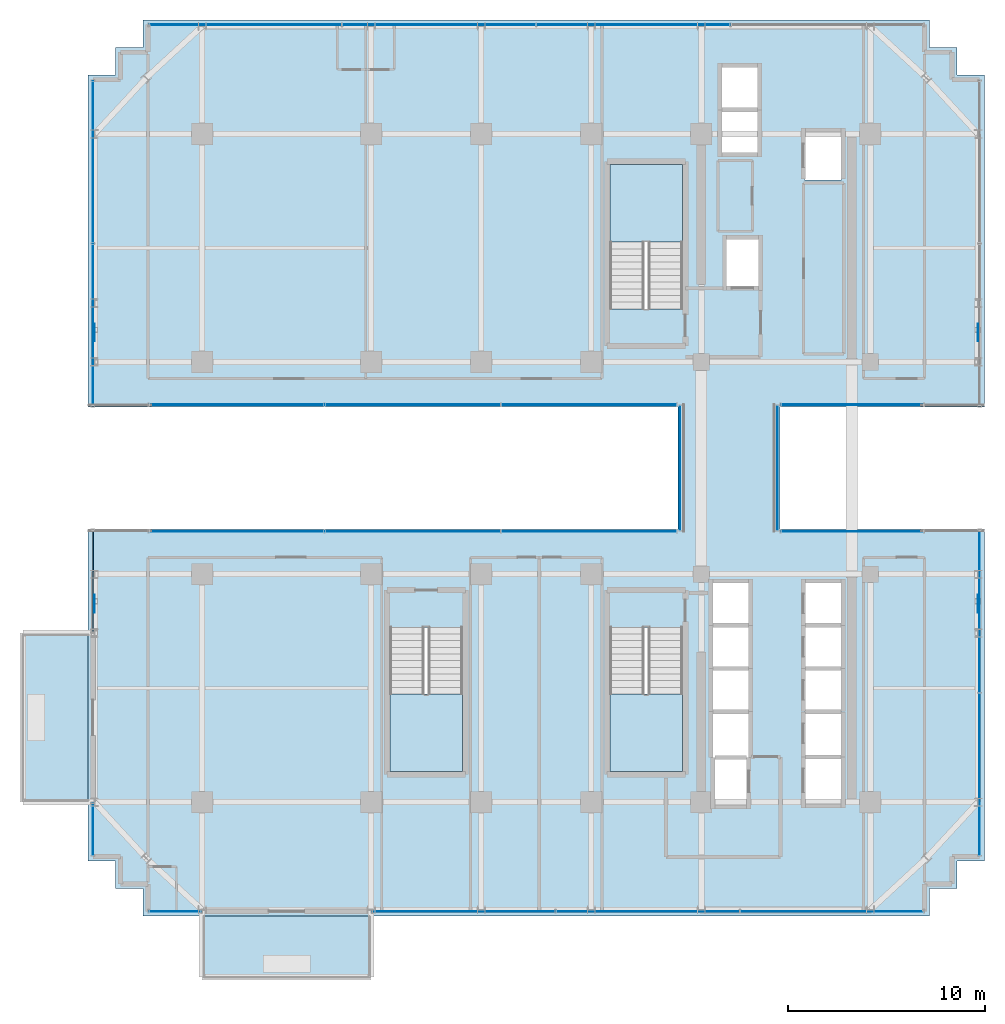
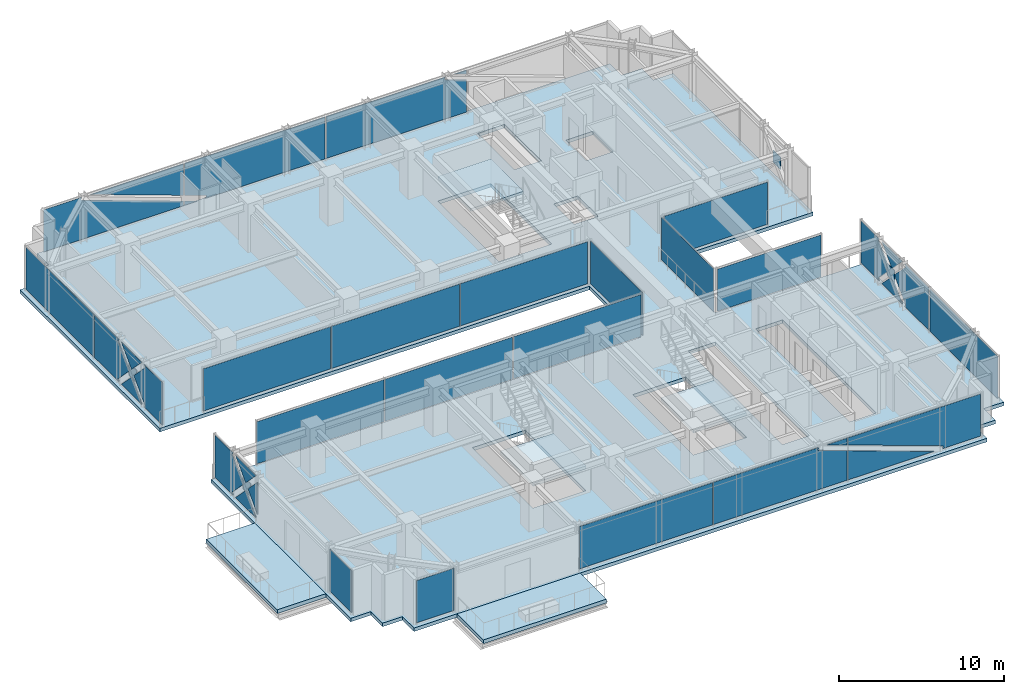
# One storey, part 28 of 36: 27 plates, 6 slabs, 16 elements without a shape of their own.
"""IFC4 building model written with IfcOpenShell, lengths in metres."""

from ifc_helpers import new_model, si_unit, direction, frame, origin, origin_2d, place, context, subcontext, project, spatial, polyline, rectangle, outline, extrude, source, transform, mapped, material, layer, layer_set, type_object, element, aggregate, save


model = new_model("IFC4")

# Units and contexts
model_context = context("Model", 3, precision=1e-05, world=origin(), true_north=direction((0.0, 1.0)))
body_context = subcontext(model_context, "Body", "Model", "MODEL_VIEW")
ifc_project = project(units=[si_unit("LENGTHUNIT", "METRE"), si_unit("AREAUNIT", "SQUARE_METRE"), si_unit("VOLUMEUNIT", "CUBIC_METRE"), si_unit("PLANEANGLEUNIT", "RADIAN"), si_unit("MASSUNIT", "GRAM", prefix="KILO")], contexts=[model_context])

# Site, building, storey
site_placement = place(None, origin())
site = spatial("IfcSite", under=ifc_project, at=site_placement, CompositionType="ELEMENT")
building_placement = place(site_placement, origin())
building = spatial("IfcBuilding", under=site, at=building_placement, Name="Nahalor Promenade Grand Hotel", CompositionType="ELEMENT")
storey_placement = place(building_placement, frame((0.0, 0.0, 170.89990234375)))
storey = spatial("IfcBuildingStorey", under=building, at=storey_placement, Name="L43", CompositionType="ELEMENT", Elevation=170.89990234375)

# Curtain wall, plates
ifc_material_1 = material(Name="Anodised Bronze Aluminium EN AW-6063 T6", Category="aluminium")
curtain_wall_type_1 = type_object("IfcCurtainWallType", Name="CW3 Elliptical-Void Collar Unitised Curtain Wall", PredefinedType="USERDEFINED", material=ifc_material_1)
curtain_wall_1_placement = place(storey_placement, origin())
curtain_wall_1 = element("IfcCurtainWall", 1, at=curtain_wall_1_placement, inside=storey, type_object=curtain_wall_type_1, Name="L43 Curtain Wall CW-L43-S-3", ObjectType="UNITISED_CURTAIN_WALL", PredefinedType="USERDEFINED")
ifc_material_2 = material(Name="Low-E Laminated Solar Glass", Category="glass")
ifc_layer_1 = layer(ifc_material_2, 0.030029296875)
ifc_layer_set_1 = layer_set([ifc_layer_1], Name="Low-E Laminated Solar Glass")
plate_type_1 = type_object("IfcPlateType", Name="CWP3 High-Wind Laminated Bronze IGU 30mm", PredefinedType="CURTAIN_PANEL", material=ifc_layer_set_1)
plate_1_placement = place(storey_placement, frame((5.679931640625, -22.56005859375, 0.14013671875), z_axis=(0.0, 0.0, 1.0), x_axis=(1.0, 0.0, 0.0)))
plate_1 = element("IfcPlate", 2, at=plate_1_placement, type_object=plate_type_1, Name="CW-L43-S-3 Glazing Panel 1-0", PredefinedType="CURTAIN_PANEL", context=body_context, shape_type="SweptSolid", body=[
    extrude(outline(polyline([(-4.658447265625, 0.0), (4.658447265625, 0.0), (4.658447265625, 2.19091796875), (2.62890625, 2.920166015625), (2.697021484375, 3.110107421875), (-4.658447265625, 3.110107421875), (-4.658447265625, 0.0)])), frame((0.0, 0.01513671875, 0.0), z_axis=(0.0, -1.0, 0.0), x_axis=(1.0, 0.0, 0.0)), (0.0, 0.0, 1.0), 0.030029296875),
    extrude(outline(polyline([(4.658447265625, 2.615966796875), (4.658447265625, 3.110107421875), (3.28369140625, 3.110107421875), (4.658447265625, 2.615966796875)])), frame((0.0, 0.01513671875, 0.0), z_axis=(0.0, -1.0, 0.0), x_axis=(1.0, 0.0, 0.0)), (0.0, 0.0, 1.0), 0.030029296875),
])
plate_2_placement = place(storey_placement, frame((15.049072265625, -22.56005859375, 0.14013671875), z_axis=(0.0, 0.0, 1.0), x_axis=(1.0, 0.0, 0.0)))
plate_2 = element("IfcPlate", 3, at=plate_2_placement, type_object=plate_type_1, Name="CW-L43-S-3 Glazing Panel 2-0", PredefinedType="CURTAIN_PANEL", context=body_context, shape_type="SweptSolid", body=[
    extrude(outline(polyline([(4.640869140625, 3.110107421875), (-4.640869140625, 3.110107421875), (-4.640869140625, 2.5908203125), (2.0419921875, 0.189697265625), (1.973876953125, 0.0), (4.640869140625, 0.0), (4.640869140625, 3.110107421875)])), frame((0.0, 0.01513671875, 0.0), z_axis=(0.0, -1.0, 0.0), x_axis=(1.0, 0.0, 0.0)), (0.0, 0.0, 1.0), 0.030029296875),
    extrude(outline(polyline([(-4.640869140625, 2.165771484375), (-4.640869140625, 0.0), (1.38720703125, 0.0), (-4.640869140625, 2.165771484375)])), frame((0.0, 0.01513671875, 0.0), z_axis=(0.0, -1.0, 0.0), x_axis=(1.0, 0.0, 0.0)), (0.0, 0.0, 1.0), 0.030029296875),
])

curtain_wall_2_placement = place(storey_placement, origin())
curtain_wall_2 = element("IfcCurtainWall", 4, at=curtain_wall_2_placement, inside=storey, type_object=curtain_wall_type_1, Name="L43 Curtain Wall CW-L43-N-1", ObjectType="UNITISED_CURTAIN_WALL", PredefinedType="USERDEFINED")
plate_3_placement = place(storey_placement, frame((-14.802490234375, 22.56005859375, 0.14013671875), z_axis=(0.0, 0.0, 1.0), x_axis=(1.0, 0.0, 0.0)))
plate_3 = element("IfcPlate", 5, at=plate_3_placement, type_object=plate_type_1, Name="CW-L43-N-1 Glazing Panel 0-0", PredefinedType="CURTAIN_PANEL", context=body_context, shape_type="SweptSolid", body=[
    extrude(outline(polyline([(-4.887451171875, 0.0), (4.887451171875, 0.0), (4.887451171875, 0.341796875), (-2.28857421875, 2.920166015625), (-2.220458984375, 3.110107421875), (-4.887451171875, 3.110107421875), (-4.887451171875, 0.0)])), frame((0.0, 0.01513671875, 0.0), z_axis=(0.0, -1.0, 0.0), x_axis=(1.0, 0.0, 0.0)), (0.0, 0.0, 1.0), 0.030029296875),
    extrude(outline(polyline([(4.887451171875, 0.766845703125), (4.887451171875, 3.110107421875), (-1.6337890625, 3.110107421875), (4.887451171875, 0.766845703125)])), frame((0.0, 0.01513671875, 0.0), z_axis=(0.0, -1.0, 0.0), x_axis=(1.0, 0.0, 0.0)), (0.0, 0.0, 1.0), 0.030029296875),
])
plate_4_placement = place(storey_placement, frame((-4.93994140625, 22.56005859375, 0.14013671875), z_axis=(0.0, 0.0, 1.0), x_axis=(1.0, 0.0, 0.0)))
plate_4 = element("IfcPlate", 6, at=plate_4_placement, type_object=plate_type_1, Name="CW-L43-N-1 Glazing Panel 1-0", PredefinedType="CURTAIN_PANEL", context=body_context, shape_type="SweptSolid", body=[
    extrude(outline(polyline([(4.905029296875, 3.110107421875), (-4.905029296875, 3.110107421875), (-4.905029296875, 0.74169921875), (-3.368896484375, 0.189697265625), (-3.43701171875, 0.0), (4.905029296875, 0.0), (4.905029296875, 3.110107421875)])), frame((0.0, 0.01513671875, 0.0), z_axis=(0.0, -1.0, 0.0), x_axis=(1.0, 0.0, 0.0)), (0.0, 0.0, 1.0), 0.030029296875),
    extrude(outline(polyline([(-4.905029296875, 0.316650390625), (-4.905029296875, 0.0), (-4.023681640625, 0.0), (-4.905029296875, 0.316650390625)])), frame((0.0, 0.01513671875, 0.0), z_axis=(0.0, -1.0, 0.0), x_axis=(1.0, 0.0, 0.0)), (0.0, 0.0, 1.0), 0.030029296875),
])
plate_5_placement = place(storey_placement, frame((4.93994140625, 22.56005859375, 0.14013671875), z_axis=(0.0, 0.0, 1.0), x_axis=(1.0, 0.0, 0.0)))
plate_5 = element("IfcPlate", 7, at=plate_5_placement, type_object=plate_type_1, Name="CW-L43-N-1 Glazing Panel 2-0", PredefinedType="CURTAIN_PANEL", context=body_context, shape_type="SweptSolid", body=[
    extrude(outline(polyline([(-4.905029296875, 0.0), (4.905029296875, 0.0), (4.905029296875, 2.368408203125), (3.368896484375, 2.920166015625), (3.43701171875, 3.110107421875), (-4.905029296875, 3.110107421875), (-4.905029296875, 0.0)])), frame((0.0, 0.01513671875, 0.0), z_axis=(0.0, -1.0, 0.0), x_axis=(1.0, 0.0, 0.0)), (0.0, 0.0, 1.0), 0.030029296875),
    extrude(outline(polyline([(4.905029296875, 2.793212890625), (4.905029296875, 3.110107421875), (4.023681640625, 3.110107421875), (4.905029296875, 2.793212890625)])), frame((0.0, 0.01513671875, 0.0), z_axis=(0.0, -1.0, 0.0), x_axis=(1.0, 0.0, 0.0)), (0.0, 0.0, 1.0), 0.030029296875),
])
aggregate(curtain_wall_2, [plate_3, plate_4, plate_5])

# Curtain wall, plate
curtain_wall_3_placement = place(storey_placement, origin())
curtain_wall_3 = element("IfcCurtainWall", 8, at=curtain_wall_3_placement, inside=storey, type_object=curtain_wall_type_1, Name="L43 Curtain Wall CW-L43-W-3", ObjectType="UNITISED_CURTAIN_WALL", PredefinedType="USERDEFINED")
plate_6_placement = place(storey_placement, frame((-22.56005859375, -5.75, 0.14013671875), z_axis=(0.0, 0.0, 1.0), x_axis=(0.0, 1.0, 0.0)))
plate_6 = element("IfcPlate", 9, at=plate_6_placement, type_object=plate_type_1, Name="CW-L43-W-3 Glazing Panel 0-0", PredefinedType="CURTAIN_PANEL", context=body_context, shape_type="SweptSolid", body=[
    extrude(outline(polyline([(-1.4287109375, 1.554931640625), (-2.580078125, 2.74072265625), (-2.580078125, 0.369140625), (-1.4287109375, 1.554931640625)])), frame((0.0, 0.01513671875, 0.0), z_axis=(0.0, -1.0, 0.0), x_axis=(1.0, 0.0, 0.0)), (0.0, 0.0, 1.0), 0.030029296875),
    extrude(outline(polyline([(-1.14990234375, 1.267822265625), (-2.380859375, 0.0), (0.0810546875, 0.0), (-1.14990234375, 1.267822265625)])), frame((0.0, 0.01513671875, 0.0), z_axis=(0.0, -1.0, 0.0), x_axis=(1.0, 0.0, 0.0)), (0.0, 0.0, 1.0), 0.030029296875),
    extrude(outline(polyline([(-1.14990234375, 1.842041015625), (0.0810546875, 3.110107421875), (-2.380859375, 3.110107421875), (-1.14990234375, 1.842041015625)])), frame((0.0, 0.01513671875, 0.0), z_axis=(0.0, -1.0, 0.0), x_axis=(1.0, 0.0, 0.0)), (0.0, 0.0, 1.0), 0.030029296875),
    extrude(outline(polyline([(2.580078125, 0.0), (2.580078125, 3.110107421875), (0.37548828125, 3.110107421875), (0.510986328125, 2.978515625), (-0.871337890625, 1.554931640625), (0.510986328125, 0.13134765625), (0.37548828125, 0.0), (2.580078125, 0.0)])), frame((0.0, 0.01513671875, 0.0), z_axis=(0.0, -1.0, 0.0), x_axis=(1.0, 0.0, 0.0)), (0.0, 0.0, 1.0), 0.030029296875),
])
aggregate(curtain_wall_3, [plate_6])

curtain_wall_4_placement = place(storey_placement, origin())
curtain_wall_4 = element("IfcCurtainWall", 10, at=curtain_wall_4_placement, inside=storey, type_object=curtain_wall_type_1, Name="L43 Curtain Wall CW-L43-W-4", ObjectType="UNITISED_CURTAIN_WALL", PredefinedType="USERDEFINED")
plate_7_placement = place(storey_placement, frame((-22.56005859375, 7.282470703125, 0.14013671875), z_axis=(0.0, 0.0, 1.0), x_axis=(0.0, 1.0, 0.0)))
plate_7 = element("IfcPlate", 11, at=plate_7_placement, type_object=plate_type_1, Name="CW-L43-W-4 Glazing Panel 0-0", PredefinedType="CURTAIN_PANEL", context=body_context, shape_type="SweptSolid", body=[
    extrude(outline(polyline([(-4.112548828125, 3.110107421875), (-4.112548828125, 0.0), (-1.908203125, 0.0), (-2.04345703125, 0.13134765625), (-0.661376953125, 1.554931640625), (-2.04345703125, 2.978515625), (-1.908203125, 3.110107421875), (-4.112548828125, 3.110107421875)])), frame((0.0, 0.01513671875, 0.0), z_axis=(0.0, -1.0, 0.0), x_axis=(1.0, 0.0, 0.0)), (0.0, 0.0, 1.0), 0.030029296875),
    extrude(outline(polyline([(-0.382568359375, 1.267822265625), (-1.613525390625, 0.0), (0.848388671875, 0.0), (-0.382568359375, 1.267822265625)])), frame((0.0, 0.01513671875, 0.0), z_axis=(0.0, -1.0, 0.0), x_axis=(1.0, 0.0, 0.0)), (0.0, 0.0, 1.0), 0.030029296875),
    extrude(outline(polyline([(-0.382568359375, 1.842041015625), (0.848388671875, 3.110107421875), (-1.613525390625, 3.110107421875), (-0.382568359375, 1.842041015625)])), frame((0.0, 0.01513671875, 0.0), z_axis=(0.0, -1.0, 0.0), x_axis=(1.0, 0.0, 0.0)), (0.0, 0.0, 1.0), 0.030029296875),
    extrude(outline(polyline([(4.112548828125, 0.0), (4.112548828125, 3.110107421875), (1.14306640625, 3.110107421875), (1.2783203125, 2.978515625), (-0.103759765625, 1.554931640625), (1.2783203125, 0.13134765625), (1.14306640625, 0.0), (4.112548828125, 0.0)])), frame((0.0, 0.01513671875, 0.0), z_axis=(0.0, -1.0, 0.0), x_axis=(1.0, 0.0, 0.0)), (0.0, 0.0, 1.0), 0.030029296875),
])

curtain_wall_5_placement = place(storey_placement, origin())
curtain_wall_5 = element("IfcCurtainWall", 12, at=curtain_wall_5_placement, inside=storey, type_object=curtain_wall_type_1, Name="L43 Curtain Wall CW-L43-E-1", ObjectType="UNITISED_CURTAIN_WALL", PredefinedType="USERDEFINED")
plate_8_placement = place(storey_placement, frame((22.56005859375, -7.282470703125, 0.14013671875), z_axis=(0.0, 0.0, 1.0), x_axis=(0.0, 1.0, 0.0)))
plate_8 = element("IfcPlate", 13, at=plate_8_placement, type_object=plate_type_1, Name="CW-L43-E-1 Glazing Panel 1-0", PredefinedType="CURTAIN_PANEL", context=body_context, shape_type="SweptSolid", body=[
    extrude(outline(polyline([(-4.112548828125, 3.110107421875), (-4.112548828125, 0.0), (-1.14306640625, 0.0), (-1.2783203125, 0.13134765625), (0.103759765625, 1.554931640625), (-1.2783203125, 2.978515625), (-1.14306640625, 3.110107421875), (-4.112548828125, 3.110107421875)])), frame((0.0, 0.01513671875, 0.0), z_axis=(0.0, -1.0, 0.0), x_axis=(1.0, 0.0, 0.0)), (0.0, 0.0, 1.0), 0.030029296875),
    extrude(outline(polyline([(0.382568359375, 1.267822265625), (-0.848388671875, 0.0), (1.613525390625, 0.0), (0.382568359375, 1.267822265625)])), frame((0.0, 0.01513671875, 0.0), z_axis=(0.0, -1.0, 0.0), x_axis=(1.0, 0.0, 0.0)), (0.0, 0.0, 1.0), 0.030029296875),
    extrude(outline(polyline([(0.382568359375, 1.842041015625), (1.613525390625, 3.110107421875), (-0.848388671875, 3.110107421875), (0.382568359375, 1.842041015625)])), frame((0.0, 0.01513671875, 0.0), z_axis=(0.0, -1.0, 0.0), x_axis=(1.0, 0.0, 0.0)), (0.0, 0.0, 1.0), 0.030029296875),
    extrude(outline(polyline([(4.112548828125, 0.0), (4.112548828125, 3.110107421875), (1.908203125, 3.110107421875), (2.04345703125, 2.978515625), (0.661376953125, 1.554931640625), (2.04345703125, 0.13134765625), (1.908203125, 0.0), (4.112548828125, 0.0)])), frame((0.0, 0.01513671875, 0.0), z_axis=(0.0, -1.0, 0.0), x_axis=(1.0, 0.0, 0.0)), (0.0, 0.0, 1.0), 0.030029296875),
])

# Stair, slab
ifc_material_3 = material(Name="Concrete B-50 (C40/50)", Category="concrete")
stair_type_1 = type_object("IfcStairType", Name="Stair-ST1", PredefinedType="HALF_TURN_STAIR", material=ifc_material_3)
stair_1_placement = place(storey_placement, origin())
stair_1 = element("IfcStair", 14, at=stair_1_placement, inside=storey, type_object=stair_type_1, Name="L43 ST1", PredefinedType="HALF_TURN_STAIR")
ifc_layer_2 = layer(ifc_material_3, 0.199951171875)
ifc_layer_set_2 = layer_set([ifc_layer_2], Name="Concrete B-50 (C40/50)")
slab_type_1 = type_object("IfcSlabType", Name="Landing-ST1", PredefinedType="LANDING", material=ifc_layer_set_2)
slab_1_placement = place(storey_placement, frame((0.0, 0.0, 1.625)))
slab_1 = element("IfcSlab", 15, at=slab_1_placement, type_object=slab_type_1, Name="ST1 landing 1", PredefinedType="LANDING", context=body_context, shape_type="SweptSolid", body=[
    extrude(outline(polyline([(7.449951171875, 11.5), (7.449951171875, 15.449951171875), (3.75, 15.449951171875), (3.75, 11.5), (7.449951171875, 11.5)])), origin(), (0.0, 0.0, 1.0), 0.2001953125),
])
aggregate(stair_1, [slab_1])

stair_type_2 = type_object("IfcStairType", Name="Stair-ST2", PredefinedType="HALF_TURN_STAIR", material=ifc_material_3)
stair_2_placement = place(storey_placement, origin())
stair_2 = element("IfcStair", 16, at=stair_2_placement, inside=storey, type_object=stair_type_2, Name="L43 ST2", PredefinedType="HALF_TURN_STAIR")
ifc_layer_3 = layer(ifc_material_3, 0.2099609375)
ifc_layer_set_3 = layer_set([ifc_layer_3], Name="Concrete B-50 (C40/50)")
slab_type_2 = type_object("IfcSlabType", Name="Landing-ST2", PredefinedType="LANDING", material=ifc_layer_set_3)
slab_2_placement = place(storey_placement, frame((0.0, 0.0, 1.614990234375)))
slab_2 = element("IfcSlab", 17, at=slab_2_placement, type_object=slab_type_2, Name="ST2 landing 1", PredefinedType="LANDING", context=body_context, shape_type="SweptSolid", body=[
    extrude(outline(polyline([(3.75, -11.5), (3.75, -15.449951171875), (7.449951171875, -15.449951171875), (7.449951171875, -11.5), (3.75, -11.5)])), origin(), (0.0, 0.0, 1.0), 0.210205078125),
])
aggregate(stair_2, [slab_2])

stair_type_3 = type_object("IfcStairType", Name="Stair-ST3", PredefinedType="HALF_TURN_STAIR", material=ifc_material_3)
stair_3_placement = place(storey_placement, origin())
stair_3 = element("IfcStair", 18, at=stair_3_placement, inside=storey, type_object=stair_type_3, Name="L43 ST3", PredefinedType="HALF_TURN_STAIR")
ifc_layer_4 = layer(ifc_material_3, 0.219970703125)
ifc_layer_set_4 = layer_set([ifc_layer_4], Name="Concrete B-50 (C40/50)")
slab_type_3 = type_object("IfcSlabType", Name="Landing-ST3", PredefinedType="LANDING", material=ifc_layer_set_4)
slab_3_placement = place(storey_placement, frame((0.0, 0.0, 1.60498046875)))
slab_3 = element("IfcSlab", 19, at=slab_3_placement, type_object=slab_type_3, Name="ST3 landing 1", PredefinedType="LANDING", context=body_context, shape_type="SweptSolid", body=[
    extrude(outline(polyline([(-7.449951171875, -11.5), (-7.449951171875, -15.449951171875), (-3.75, -15.449951171875), (-3.75, -11.5), (-7.449951171875, -11.5)])), origin(), (0.0, 0.0, 1.0), 0.22021484375),
])
aggregate(stair_3, [slab_3])

# Slabs
ifc_layer_5 = layer(ifc_material_3, 0.280029296875)
ifc_layer_set_5 = layer_set([ifc_layer_5], Name="Concrete B-50 (C40/50)")
slab_type_4 = type_object("IfcSlabType", Name="Slab-Balcony-280", PredefinedType="FLOOR", material=ifc_layer_set_5)
slab_4_placement = place(storey_placement, frame((0.0, 0.0, -0.27978515625)))
element("IfcSlab", 20, at=slab_4_placement, inside=storey, type_object=slab_type_4, Name="L43 Cantilevered Planted Balcony 1", PredefinedType="FLOOR", context=body_context, shape_type="SweptSolid", body=[
    extrude(outline(polyline([(-17.0, -25.97998046875), (-8.39990234375, -25.97998046875), (-8.39990234375, -22.800048828125), (-17.0, -22.800048828125), (-17.0, -25.97998046875)])), origin(), (0.0, 0.0, 1.0), 0.27978515625),
])
slab_5_placement = place(storey_placement, frame((0.0, 0.0, -0.27978515625)))
element("IfcSlab", 21, at=slab_5_placement, inside=storey, type_object=slab_type_4, Name="L43 Cantilevered Planted Balcony 2", PredefinedType="FLOOR", context=body_context, shape_type="SweptSolid", body=[
    extrude(outline(polyline([(-26.199951171875, -17.0), (-22.800048828125, -17.0), (-22.800048828125, -8.39990234375), (-26.199951171875, -8.39990234375), (-26.199951171875, -17.0)])), origin(), (0.0, 0.0, 1.0), 0.27978515625),
])
ifc_layer_6 = layer(ifc_material_3, 0.260009765625)
ifc_layer_set_6 = layer_set([ifc_layer_6], Name="Concrete B-50 (C40/50)")
slab_type_5 = type_object("IfcSlabType", Name="Slab-TowerZ3-260", PredefinedType="FLOOR", material=ifc_layer_set_6)
slab_6_placement = place(storey_placement, frame((0.0, 0.0, -0.260009765625)))
element("IfcSlab", 22, at=slab_6_placement, inside=storey, type_object=slab_type_5, Name="L43 Suspended Structural Floor Slab", PredefinedType="FLOOR", context=body_context, shape_type="SweptSolid", body=[
    extrude(outline(polyline([(-20.0, -22.800048828125), (20.0, -22.800048828125), (20.0, -21.39990234375), (21.39990234375, -21.39990234375), (21.39990234375, -20.0), (22.800048828125, -20.0), (22.800048828125, -3.10009765625), (12.39990234375, -3.10009765625), (12.39990234375, 3.10009765625), (22.800048828125, 3.10009765625), (22.800048828125, 20.0), (21.39990234375, 20.0), (21.39990234375, 21.39990234375), (20.0, 21.39990234375), (20.0, 22.800048828125), (-20.0, 22.800048828125), (-20.0, 21.39990234375), (-21.39990234375, 21.39990234375), (-21.39990234375, 20.0), (-22.800048828125, 20.0), (-22.800048828125, 3.10009765625), (7.199951171875, 3.10009765625), (7.199951171875, -3.10009765625), (-22.800048828125, -3.10009765625), (-22.800048828125, -20.0), (-21.39990234375, -20.0), (-21.39990234375, -21.39990234375), (-20.0, -21.39990234375), (-20.0, -22.800048828125)]), holes=[polyline([(3.75, 8.10009765625), (7.449951171875, 8.10009765625), (7.449951171875, 15.449951171875), (3.75, 15.449951171875), (3.75, 8.10009765625)]), polyline([(3.75, -15.449951171875), (7.449951171875, -15.449951171875), (7.449951171875, -8.10009765625), (3.75, -8.10009765625), (3.75, -15.449951171875)]), polyline([(-7.449951171875, -15.449951171875), (-3.75, -15.449951171875), (-3.75, -8.10009765625), (-7.449951171875, -8.10009765625), (-7.449951171875, -15.449951171875)]), polyline([(13.659912109375, -17.139892578125), (15.5400390625, -17.139892578125), (15.5400390625, -5.81005859375), (13.659912109375, -5.81005859375), (13.659912109375, -17.139892578125)]), polyline([(8.9599609375, -17.18994140625), (10.840087890625, -17.18994140625), (10.840087890625, -5.81005859375), (8.9599609375, -5.81005859375), (8.9599609375, -17.18994140625)]), polyline([(9.409912109375, 16.010009765625), (11.2900390625, 16.010009765625), (11.2900390625, 20.43994140625), (9.409912109375, 20.43994140625), (9.409912109375, 16.010009765625)]), polyline([(9.659912109375, 9.2099609375), (11.340087890625, 9.2099609375), (11.340087890625, 11.68994140625), (9.659912109375, 11.68994140625), (9.659912109375, 9.2099609375)]), polyline([(13.659912109375, 14.659912109375), (15.5400390625, 14.659912109375), (15.5400390625, 17.139892578125), (13.659912109375, 17.139892578125), (13.659912109375, 14.659912109375)])]), origin(), (0.0, 0.0, 1.0), 0.260009765625),
])

# Plates
ifc_material_4 = material(Name="Steel S355J2", Category="steel")
ifc_layer_7 = layer(ifc_material_4, 0.035888671875)
ifc_layer_set_7 = layer_set([ifc_layer_7], Name="Steel S355J2")
plate_type_2 = type_object("IfcPlateType", Name="Plate-CrossGusset-36", PredefinedType="USERDEFINED", material=ifc_layer_set_7)
shared_shape_1 = source(origin(), body_context, "Body", "SweptSolid", [
    extrude(rectangle(XDim=0.89990234375, YDim=0.035888671875, at=origin_2d()), origin(), (0.0, 0.0, 1.0), 0.89990234375),
])
for number, where, z_axis, x_axis, name in (
    (23, (-22.47998046875, -6.89990234375, 1.2451171875), (0.0, 0.0, 1.0), (0.0, 1.0, 0.0), "PL-L43-VXX-W0"),
    (24, (-22.47998046875, 6.89990234375, 1.2451171875), (0.0, 0.0, 1.0), (0.0, 1.0, 0.0), "PL-L43-VXX-W1"),
    (25, (22.47998046875, -6.89990234375, 1.2451171875), (0.0, 0.0, 1.0), (0.0, 1.0, 0.0), "PL-L43-VXX-E0"),
    (26, (22.47998046875, 6.89990234375, 1.2451171875), (0.0, 0.0, 1.0), (0.0, 1.0, 0.0), "PL-L43-VXX-E1"),
):
    element("IfcPlate", number, at=place(storey_placement, frame(where, z_axis=z_axis, x_axis=x_axis)), inside=storey, type_object=plate_type_2, Name=name, ObjectType="GUSSET_PLATE", PredefinedType="USERDEFINED", context=body_context, shape_type="MappedRepresentation", body=[
        mapped(shared_shape_1, transform((0.0, 0.0, 0.0), scale=1.0)),
    ])

# Curtain wall, plate
curtain_wall_6_placement = place(storey_placement, origin())
curtain_wall_6 = element("IfcCurtainWall", 27, at=curtain_wall_6_placement, inside=storey, type_object=curtain_wall_type_1, Name="L43 Curtain Wall CW-L43-S-1", ObjectType="UNITISED_CURTAIN_WALL", PredefinedType="USERDEFINED")
shared_shape_2 = source(origin(), body_context, "Body", "SweptSolid", [
    extrude(rectangle(XDim=2.6201171875, YDim=0.030029296875, at=origin_2d()), origin(), (0.0, 0.0, 1.0), 3.110107421875),
])
plate_9_placement = place(storey_placement, frame((-18.3798828125, -22.56005859375, 0.14013671875), z_axis=(0.0, 0.0, 1.0), x_axis=(1.0, 0.0, 0.0)))
plate_9 = element("IfcPlate", 28, at=plate_9_placement, type_object=plate_type_1, Name="CW-L43-S-1 Glazing Panel 0-0", PredefinedType="CURTAIN_PANEL", context=body_context, shape_type="MappedRepresentation", body=[
    mapped(shared_shape_2, transform((0.0, 0.0, 0.0), scale=1.0)),
])
aggregate(curtain_wall_6, [plate_9])

curtain_wall_7_placement = place(storey_placement, origin())
curtain_wall_7 = element("IfcCurtainWall", 29, at=curtain_wall_7_placement, inside=storey, type_object=curtain_wall_type_1, Name="L43 Curtain Wall CW-L43-W-1", ObjectType="UNITISED_CURTAIN_WALL", PredefinedType="USERDEFINED")
plate_10_placement = place(storey_placement, frame((-22.56005859375, -18.3798828125, 0.14013671875), z_axis=(0.0, 0.0, 1.0), x_axis=(0.0, 1.0, 0.0)))
plate_10 = element("IfcPlate", 30, at=plate_10_placement, type_object=plate_type_1, Name="CW-L43-W-1 Glazing Panel 0-0", PredefinedType="CURTAIN_PANEL", context=body_context, shape_type="MappedRepresentation", body=[
    mapped(shared_shape_2, transform((0.0, 0.0, 0.0), scale=1.0)),
])
aggregate(curtain_wall_7, [plate_10])

# Curtain wall, plates
curtain_wall_8_placement = place(storey_placement, origin())
curtain_wall_8 = element("IfcCurtainWall", 31, at=curtain_wall_8_placement, inside=storey, type_object=curtain_wall_type_1, Name="L43 Curtain Wall CW-L43-VOID-WS1", ObjectType="UNITISED_CURTAIN_WALL", PredefinedType="USERDEFINED")
shared_shape_3 = source(origin(), body_context, "Body", "SweptSolid", [
    extrude(rectangle(XDim=8.881591796875, YDim=0.030029296875, at=origin_2d()), origin(), (0.0, 0.0, 1.0), 3.110107421875),
])
plate_11_placement = place(storey_placement, frame((-15.249267578125, -3.219970703125, 0.14013671875), z_axis=(0.0, 0.0, 1.0), x_axis=(1.0, 0.0, 0.0)))
plate_11 = element("IfcPlate", 32, at=plate_11_placement, type_object=plate_type_1, Name="CW-L43-VOID-WS1 Glazing Panel 0-0", PredefinedType="CURTAIN_PANEL", context=body_context, shape_type="MappedRepresentation", body=[
    mapped(shared_shape_3, transform((0.0, 0.0, 0.0), scale=1.0)),
])
plate_12_placement = place(storey_placement, frame((2.689208984375, -3.219970703125, 0.14013671875), z_axis=(0.0, 0.0, 1.0), x_axis=(1.0, 0.0, 0.0)))
plate_12 = element("IfcPlate", 33, at=plate_12_placement, type_object=plate_type_1, Name="CW-L43-VOID-WS1 Glazing Panel 2-0", PredefinedType="CURTAIN_PANEL", context=body_context, shape_type="MappedRepresentation", body=[
    mapped(shared_shape_3, transform((0.0, 0.0, 0.0), scale=1.0)),
])

curtain_wall_9_placement = place(storey_placement, origin())
curtain_wall_9 = element("IfcCurtainWall", 34, at=curtain_wall_9_placement, inside=storey, type_object=curtain_wall_type_1, Name="L43 Curtain Wall CW-L43-VOID-WN1", ObjectType="UNITISED_CURTAIN_WALL", PredefinedType="USERDEFINED")
plate_13_placement = place(storey_placement, frame((-15.249267578125, 3.219970703125, 0.14013671875), z_axis=(0.0, 0.0, 1.0), x_axis=(1.0, 0.0, 0.0)))
plate_13 = element("IfcPlate", 35, at=plate_13_placement, type_object=plate_type_1, Name="CW-L43-VOID-WN1 Glazing Panel 0-0", PredefinedType="CURTAIN_PANEL", context=body_context, shape_type="MappedRepresentation", body=[
    mapped(shared_shape_3, transform((0.0, 0.0, 0.0), scale=1.0)),
])
plate_14_placement = place(storey_placement, frame((2.689208984375, 3.219970703125, 0.14013671875), z_axis=(0.0, 0.0, 1.0), x_axis=(1.0, 0.0, 0.0)))
plate_14 = element("IfcPlate", 36, at=plate_14_placement, type_object=plate_type_1, Name="CW-L43-VOID-WN1 Glazing Panel 2-0", PredefinedType="CURTAIN_PANEL", context=body_context, shape_type="MappedRepresentation", body=[
    mapped(shared_shape_3, transform((0.0, 0.0, 0.0), scale=1.0)),
])

# Plate
shared_shape_4 = source(origin(), body_context, "Body", "SweptSolid", [
    extrude(rectangle(XDim=8.916748046875, YDim=0.030029296875, at=origin_2d()), origin(), (0.0, 0.0, 1.0), 3.110107421875),
])
plate_15_placement = place(storey_placement, frame((-6.280029296875, -3.219970703125, 0.14013671875), z_axis=(0.0, 0.0, 1.0), x_axis=(1.0, 0.0, 0.0)))
plate_15 = element("IfcPlate", 37, at=plate_15_placement, type_object=plate_type_1, Name="CW-L43-VOID-WS1 Glazing Panel 1-0", PredefinedType="CURTAIN_PANEL", context=body_context, shape_type="MappedRepresentation", body=[
    mapped(shared_shape_4, transform((0.0, 0.0, 0.0), scale=1.0)),
])

aggregate(curtain_wall_8, [plate_11, plate_15, plate_12])

plate_16_placement = place(storey_placement, frame((-6.280029296875, 3.219970703125, 0.14013671875), z_axis=(0.0, 0.0, 1.0), x_axis=(1.0, 0.0, 0.0)))
plate_16 = element("IfcPlate", 38, at=plate_16_placement, type_object=plate_type_1, Name="CW-L43-VOID-WN1 Glazing Panel 1-0", PredefinedType="CURTAIN_PANEL", context=body_context, shape_type="MappedRepresentation", body=[
    mapped(shared_shape_4, transform((0.0, 0.0, 0.0), scale=1.0)),
])

aggregate(curtain_wall_9, [plate_13, plate_16, plate_14])

# Curtain wall, plate
curtain_wall_10_placement = place(storey_placement, origin())
curtain_wall_10 = element("IfcCurtainWall", 39, at=curtain_wall_10_placement, inside=storey, type_object=curtain_wall_type_1, Name="L43 Curtain Wall CW-L43-VOID-ES1", ObjectType="UNITISED_CURTAIN_WALL", PredefinedType="USERDEFINED")
shared_shape_5 = source(origin(), body_context, "Body", "SweptSolid", [
    extrude(rectangle(XDim=7.219970703125, YDim=0.030029296875, at=origin_2d()), origin(), (0.0, 0.0, 1.0), 3.110107421875),
])
plate_17_placement = place(storey_placement, frame((16.080078125, -3.219970703125, 0.14013671875), z_axis=(0.0, 0.0, 1.0), x_axis=(1.0, 0.0, 0.0)))
plate_17 = element("IfcPlate", 40, at=plate_17_placement, type_object=plate_type_1, Name="CW-L43-VOID-ES1 Glazing Panel 0-0", PredefinedType="CURTAIN_PANEL", context=body_context, shape_type="MappedRepresentation", body=[
    mapped(shared_shape_5, transform((0.0, 0.0, 0.0), scale=1.0)),
])
aggregate(curtain_wall_10, [plate_17])

curtain_wall_11_placement = place(storey_placement, origin())
curtain_wall_11 = element("IfcCurtainWall", 41, at=curtain_wall_11_placement, inside=storey, type_object=curtain_wall_type_1, Name="L43 Curtain Wall CW-L43-VOID-EN1", ObjectType="UNITISED_CURTAIN_WALL", PredefinedType="USERDEFINED")
plate_18_placement = place(storey_placement, frame((16.080078125, 3.219970703125, 0.14013671875), z_axis=(0.0, 0.0, 1.0), x_axis=(1.0, 0.0, 0.0)))
plate_18 = element("IfcPlate", 42, at=plate_18_placement, type_object=plate_type_1, Name="CW-L43-VOID-EN1 Glazing Panel 0-0", PredefinedType="CURTAIN_PANEL", context=body_context, shape_type="MappedRepresentation", body=[
    mapped(shared_shape_5, transform((0.0, 0.0, 0.0), scale=1.0)),
])
aggregate(curtain_wall_11, [plate_18])

# Plate
shared_shape_6 = source(origin(), body_context, "Body", "SweptSolid", [
    extrude(rectangle(XDim=8.22509765625, YDim=0.030029296875, at=origin_2d()), origin(), (0.0, 0.0, 1.0), 3.110107421875),
])
plate_19_placement = place(storey_placement, frame((-22.56005859375, 15.577392578125, 0.14013671875), z_axis=(0.0, 0.0, 1.0), x_axis=(0.0, 1.0, 0.0)))
plate_19 = element("IfcPlate", 43, at=plate_19_placement, type_object=plate_type_1, Name="CW-L43-W-4 Glazing Panel 1-0", PredefinedType="CURTAIN_PANEL", context=body_context, shape_type="MappedRepresentation", body=[
    mapped(shared_shape_6, transform((0.0, 0.0, 0.0), scale=1.0)),
])

aggregate(curtain_wall_4, [plate_7, plate_19])

plate_20_placement = place(storey_placement, frame((22.56005859375, -15.577392578125, 0.14013671875), z_axis=(0.0, 0.0, 1.0), x_axis=(0.0, 1.0, 0.0)))
plate_20 = element("IfcPlate", 44, at=plate_20_placement, type_object=plate_type_1, Name="CW-L43-E-1 Glazing Panel 0-0", PredefinedType="CURTAIN_PANEL", context=body_context, shape_type="MappedRepresentation", body=[
    mapped(shared_shape_6, transform((0.0, 0.0, 0.0), scale=1.0)),
])

aggregate(curtain_wall_5, [plate_20, plate_8])

# Curtain wall, plate
curtain_wall_type_2 = type_object("IfcCurtainWallType", Name="CW4 Low-Iron Sky-Gallery Bridge Curtain Wall", PredefinedType="USERDEFINED", material=ifc_material_1)
curtain_wall_12_placement = place(storey_placement, origin())
curtain_wall_12 = element("IfcCurtainWall", 45, at=curtain_wall_12_placement, inside=storey, type_object=curtain_wall_type_2, Name="L43 Curtain Wall CW-L43-BRG-W", ObjectType="UNITISED_CURTAIN_WALL", PredefinedType="USERDEFINED")
ifc_layer_8 = layer(ifc_material_2, 0.02587890625)
ifc_layer_set_8 = layer_set([ifc_layer_8], Name="Low-E Laminated Solar Glass")
plate_type_3 = type_object("IfcPlateType", Name="CWP4 Ultra-Clear Low-Iron Bridge IGU 26mm", PredefinedType="CURTAIN_PANEL", material=ifc_layer_set_8)
shared_shape_7 = source(origin(), body_context, "Body", "SweptSolid", [
    extrude(rectangle(XDim=6.320068359375, YDim=0.02587890625, at=origin_2d()), origin(), (0.0, 0.0, 1.0), 3.14990234375),
])
plate_21_placement = place(storey_placement, frame((7.320068359375, 0.0, 0.1201171875), z_axis=(0.0, 0.0, 1.0), x_axis=(0.0, 1.0, 0.0)))
plate_21 = element("IfcPlate", 46, at=plate_21_placement, type_object=plate_type_3, Name="CW-L43-BRG-W Glazing Panel 0-0", PredefinedType="CURTAIN_PANEL", context=body_context, shape_type="MappedRepresentation", body=[
    mapped(shared_shape_7, transform((0.0, 0.0, 0.0), scale=1.0)),
])
aggregate(curtain_wall_12, [plate_21])

curtain_wall_13_placement = place(storey_placement, origin())
curtain_wall_13 = element("IfcCurtainWall", 47, at=curtain_wall_13_placement, inside=storey, type_object=curtain_wall_type_2, Name="L43 Curtain Wall CW-L43-BRG-E", ObjectType="UNITISED_CURTAIN_WALL", PredefinedType="USERDEFINED")
plate_22_placement = place(storey_placement, frame((12.280029296875, 0.0, 0.1201171875), z_axis=(0.0, 0.0, 1.0), x_axis=(0.0, 1.0, 0.0)))
plate_22 = element("IfcPlate", 48, at=plate_22_placement, type_object=plate_type_3, Name="CW-L43-BRG-E Glazing Panel 0-0", PredefinedType="CURTAIN_PANEL", context=body_context, shape_type="MappedRepresentation", body=[
    mapped(shared_shape_7, transform((0.0, 0.0, 0.0), scale=1.0)),
])
aggregate(curtain_wall_13, [plate_22])

# Plate
shared_shape_8 = source(origin(), body_context, "Body", "SweptSolid", [
    extrude(rectangle(XDim=9.28173828125, YDim=0.030029296875, at=origin_2d()), origin(), (0.0, 0.0, 1.0), 3.110107421875),
])
plate_23_placement = place(storey_placement, frame((-3.689208984375, -22.56005859375, 0.14013671875), z_axis=(0.0, 0.0, 1.0), x_axis=(1.0, 0.0, 0.0)))
plate_23 = element("IfcPlate", 49, at=plate_23_placement, type_object=plate_type_1, Name="CW-L43-S-3 Glazing Panel 0-0", PredefinedType="CURTAIN_PANEL", context=body_context, shape_type="MappedRepresentation", body=[
    mapped(shared_shape_8, transform((0.0, 0.0, 0.0), scale=1.0)),
])

aggregate(curtain_wall_1, [plate_23, plate_1, plate_2])

save(model, "model.ifc")
